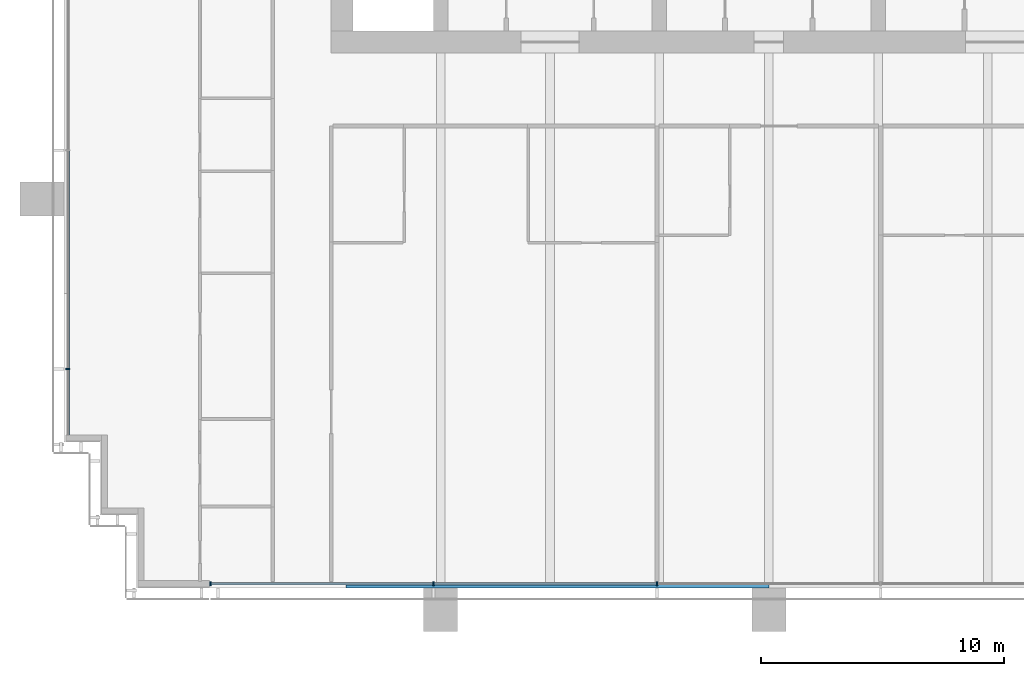
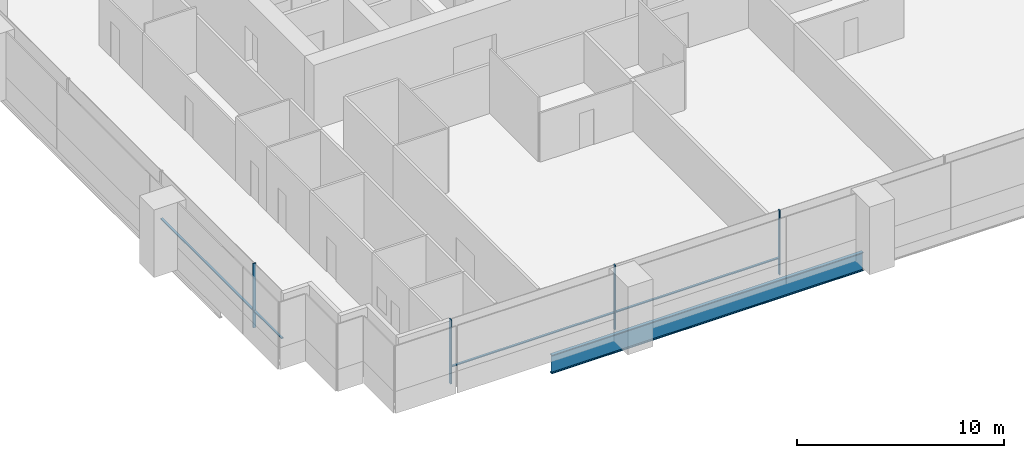
# One storey, part 2 of 17: 8 members, 1 beam, 2 elements without a shape of their own.
"""IFC4 building model written with IfcOpenShell, lengths in metres."""

from ifc_helpers import new_model, si_unit, direction, frame, origin, origin_2d, place, context, subcontext, project, spatial, rectangle, i_section, extrude, material, material_profile, profile_set, type_object, element, aggregate, save


model = new_model("IFC4")

# Units and contexts
model_context = context("Model", 3, precision=1e-05, world=origin(), true_north=direction((0.0, 1.0)))
body_context = subcontext(model_context, "Body", "Model", "MODEL_VIEW")
ifc_project = project(units=[si_unit("LENGTHUNIT", "METRE"), si_unit("AREAUNIT", "SQUARE_METRE"), si_unit("VOLUMEUNIT", "CUBIC_METRE"), si_unit("PLANEANGLEUNIT", "RADIAN"), si_unit("MASSUNIT", "GRAM", prefix="KILO")], contexts=[model_context])

# Site, building, storey
site_placement = place(None, origin())
site = spatial("IfcSite", under=ifc_project, at=site_placement, CompositionType="ELEMENT")
building_placement = place(site_placement, origin())
building = spatial("IfcBuilding", under=site, at=building_placement, Name="Rattan Terrace Tower", CompositionType="ELEMENT")
storey_placement = place(building_placement, frame((0.0, 0.0, 146.10009765625)))
storey = spatial("IfcBuildingStorey", under=building, at=storey_placement, Name="L33", CompositionType="ELEMENT", Elevation=146.10009765625)

# Curtain wall, member
ifc_material_1 = material(Name="Aluminium and glass", Category="aluminium")
curtain_wall_type = type_object("IfcCurtainWallType", Name="Facade Unitised Curtain Wall", PredefinedType="NOTDEFINED", material=ifc_material_1)
curtain_wall_1_placement = place(storey_placement, origin())
curtain_wall_1 = element("IfcCurtainWall", 1, at=curtain_wall_1_placement, inside=storey, type_object=curtain_wall_type, Name="Curtain wall L33-3", PredefinedType="NOTDEFINED")
ifc_material_2 = material(Name="Aluminium", Category="aluminium")
ifc_material_profile_1 = material_profile(ifc_material_2, rectangle(XDim=0.06005859375, YDim=0.159912109375, at=origin_2d()), Name="Aluminium 60x160")
ifc_profile_set_1 = profile_set([ifc_material_profile_1], Name="Aluminium")
member_type_1 = type_object("IfcMemberType", Name="Facade CW Mullion 60x160", PredefinedType="MULLION", material=ifc_profile_set_1)
member_1_placement = place(storey_placement, frame((-28.830078125, -20.5, 0.0), z_axis=(0.0, 0.0, 1.0), x_axis=(0.0, -1.0, 0.0)))
member_1 = element("IfcMember", 2, at=member_1_placement, type_object=member_type_1, Name="Mullion cwl-L33-003.4", PredefinedType="MULLION", context=body_context, shape_type="SweptSolid", body=[
    extrude(rectangle(XDim=0.06005859375, YDim=0.159912109375, at=origin_2d()), origin(), (0.0, 0.0, 1.0), 3.7998046875),
])

# Curtain wall, members
curtain_wall_2_placement = place(storey_placement, origin())
curtain_wall_2 = element("IfcCurtainWall", 3, at=curtain_wall_2_placement, inside=storey, type_object=curtain_wall_type, Name="Curtain wall L33-4", PredefinedType="NOTDEFINED")
member_2_placement = place(storey_placement, frame((-22.969970703125, -29.330078125, 0.0), z_axis=(0.0, 0.0, 1.0), x_axis=(1.0, 0.0, 0.0)))
member_2 = element("IfcMember", 4, at=member_2_placement, type_object=member_type_1, Name="Mullion cwl-L33-004.1", PredefinedType="MULLION", context=body_context, shape_type="SweptSolid", body=[
    extrude(rectangle(XDim=0.06005859375, YDim=0.159912109375, at=origin_2d()), origin(), (0.0, 0.0, 1.0), 3.7998046875),
])
member_3_placement = place(storey_placement, frame((-13.799072265625, -29.330078125, 0.0), z_axis=(0.0, 0.0, 1.0), x_axis=(1.0, 0.0, 0.0)))
member_3 = element("IfcMember", 5, at=member_3_placement, type_object=member_type_1, Name="Mullion cwl-L33-004.2", PredefinedType="MULLION", context=body_context, shape_type="SweptSolid", body=[
    extrude(rectangle(XDim=0.06005859375, YDim=0.159912109375, at=origin_2d()), origin(), (0.0, 0.0, 1.0), 3.7998046875),
])
member_4_placement = place(storey_placement, frame((-4.597900390625, -29.330078125, 0.0), z_axis=(0.0, 0.0, 1.0), x_axis=(1.0, 0.0, 0.0)))
member_4 = element("IfcMember", 6, at=member_4_placement, type_object=member_type_1, Name="Mullion cwl-L33-004.3", PredefinedType="MULLION", context=body_context, shape_type="SweptSolid", body=[
    extrude(rectangle(XDim=0.06005859375, YDim=0.159912109375, at=origin_2d()), origin(), (0.0, 0.0, 1.0), 3.7998046875),
])

# Member
ifc_material_3 = material(Name="Aluminium", Category="aluminium")
ifc_material_profile_2 = material_profile(ifc_material_3, rectangle(XDim=0.1201171875, YDim=0.06005859375, at=origin_2d()), Name="Aluminium 120x60")
ifc_profile_set_2 = profile_set([ifc_material_profile_2], Name="Aluminium")
member_type_2 = type_object("IfcMemberType", Name="Facade CW Transom 120x60", PredefinedType="USERDEFINED", material=ifc_profile_set_2)
member_5_placement = place(storey_placement, frame((-28.830078125, -11.530029296875, 1.0), z_axis=(0.0, -1.0, 0.0), x_axis=(1.0, 0.0, 0.0)))
member_5 = element("IfcMember", 7, at=member_5_placement, type_object=member_type_2, Name="Transom cwl-L33-003.3", ObjectType="TRANSOM", PredefinedType="USERDEFINED", context=body_context, shape_type="SweptSolid", body=[
    extrude(rectangle(XDim=0.1201171875, YDim=0.06005859375, at=origin_2d()), origin(), (0.0, 0.0, 1.0), 8.93994140625),
])

member_6_placement = place(storey_placement, frame((-28.830078125, -20.530029296875, 1.0), z_axis=(0.0, -1.0, 0.0), x_axis=(1.0, 0.0, 0.0)))
member_6 = element("IfcMember", 8, at=member_6_placement, type_object=member_type_2, Name="Transom cwl-L33-003.4", ObjectType="TRANSOM", PredefinedType="USERDEFINED", context=body_context, shape_type="SweptSolid", body=[
    extrude(rectangle(XDim=0.1201171875, YDim=0.06005859375, at=origin_2d()), origin(), (0.0, 0.0, 1.0), 2.675048828125),
])

aggregate(curtain_wall_1, [member_1, member_5, member_6])

member_7_placement = place(storey_placement, frame((-22.93994140625, -29.330078125, 1.0), z_axis=(1.0, 0.0, 0.0), x_axis=(0.0, 1.0, 0.0)))
member_7 = element("IfcMember", 9, at=member_7_placement, type_object=member_type_2, Name="Transom cwl-L33-004.1", ObjectType="TRANSOM", PredefinedType="USERDEFINED", context=body_context, shape_type="SweptSolid", body=[
    extrude(rectangle(XDim=0.1201171875, YDim=0.06005859375, at=origin_2d()), origin(), (0.0, 0.0, 1.0), 9.11083984375),
])

member_8_placement = place(storey_placement, frame((-13.76904296875, -29.330078125, 1.0), z_axis=(1.0, 0.0, 0.0), x_axis=(0.0, 1.0, 0.0)))
member_8 = element("IfcMember", 10, at=member_8_placement, type_object=member_type_2, Name="Transom cwl-L33-004.2", ObjectType="TRANSOM", PredefinedType="USERDEFINED", context=body_context, shape_type="SweptSolid", body=[
    extrude(rectangle(XDim=0.1201171875, YDim=0.06005859375, at=origin_2d()), origin(), (0.0, 0.0, 1.0), 9.14111328125),
])

aggregate(curtain_wall_2, [member_2, member_3, member_4, member_7, member_8])

# Beam
ifc_material_4 = material(Name="Steel S460", Category="steel")
ifc_material_profile_3 = material_profile(ifc_material_4, i_section(OverallWidth=0.179931640625, OverallDepth=1.10009765625, WebThickness=0.01611328125, FlangeThickness=0.050048828125, at=origin_2d()), Name="PG 1100x180-16-50")
ifc_profile_set_3 = profile_set([ifc_material_profile_3], Name="Steel S460")
beam_type = type_object("IfcBeamType", Name="Frame edge girder PG 1100x180-16-50", PredefinedType="SPANDREL", material=ifc_profile_set_3)
beam_placement = place(storey_placement, frame((-17.39990234375, -29.409912109375, -0.75), z_axis=(1.0, 0.0, 0.0), x_axis=(0.0, 1.0, 0.0)))
element("IfcBeam", 11, at=beam_placement, inside=storey, type_object=beam_type, Name="gdr-L33-001", PredefinedType="SPANDREL", context=body_context, shape_type="SweptSolid", body=[
    extrude(i_section(OverallWidth=0.179931640625, OverallDepth=1.10009765625, WebThickness=0.01611328125, FlangeThickness=0.050048828125, at=origin_2d()), origin(), (0.0, 0.0, 1.0), 17.39990234375),
])

save(model, "model.ifc")
